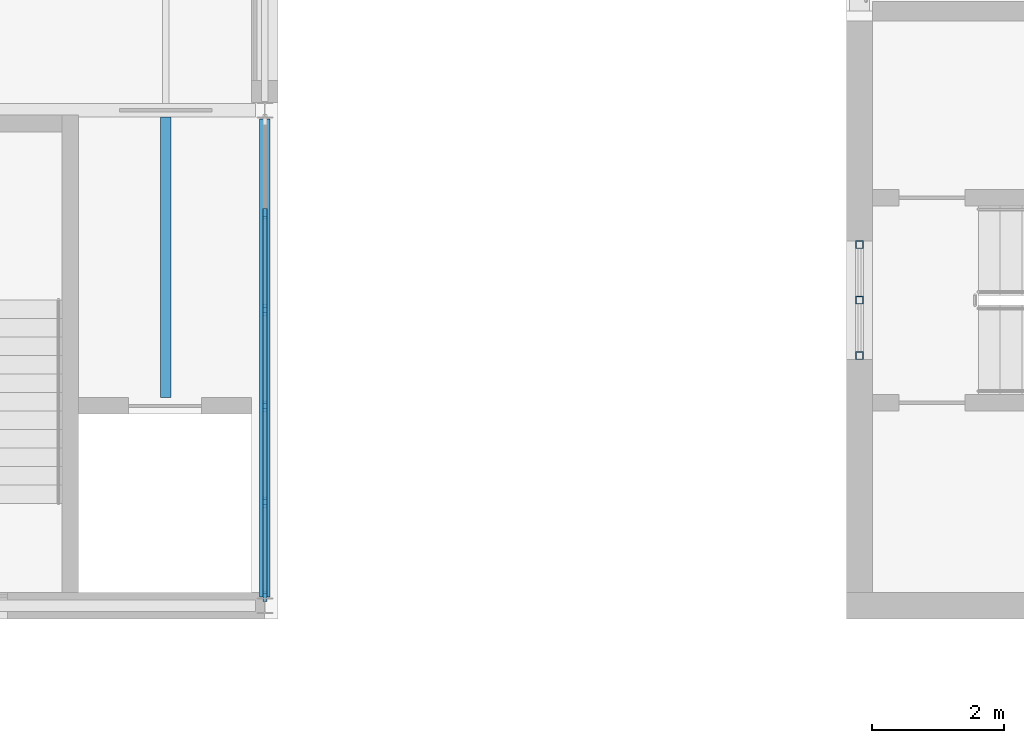
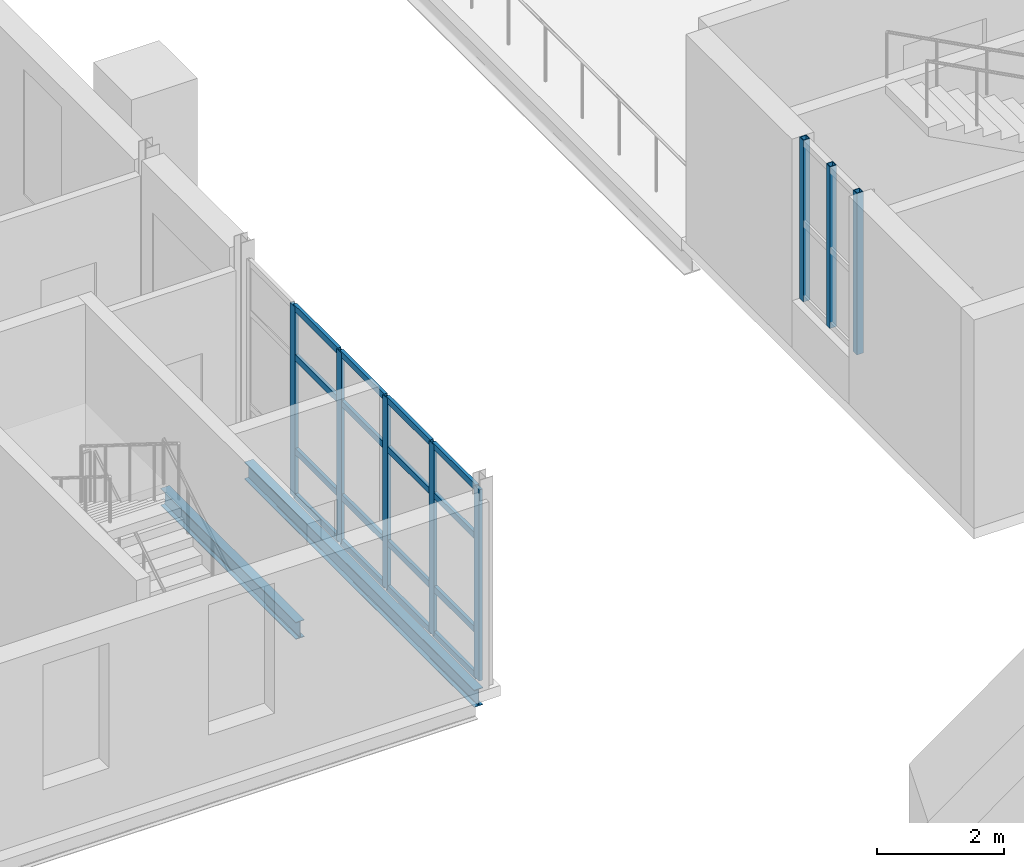
# One storey, part 36 of 154: 24 members, 2 beams, 2 elements without a shape of their own.
"""IFC4 building model written with IfcOpenShell, lengths in metres."""

from ifc_helpers import new_model, si_unit, direction, frame, origin, origin_2d, place, context, subcontext, project, spatial, rectangle, hollow_rectangle, i_section, extrude, material, layer, layer_set, material_profile, profile_set, type_object, element, aggregate, save


model = new_model("IFC4")

# Units and contexts
model_context = context("Model", 3, precision=1e-05, world=origin(), true_north=direction((0.0, 1.0)))
body_context = subcontext(model_context, "Body", "Model", "MODEL_VIEW")
ifc_project = project(units=[si_unit("LENGTHUNIT", "METRE"), si_unit("AREAUNIT", "SQUARE_METRE"), si_unit("VOLUMEUNIT", "CUBIC_METRE"), si_unit("PLANEANGLEUNIT", "RADIAN"), si_unit("MASSUNIT", "GRAM", prefix="KILO")], contexts=[model_context])

# Site, building, storey
site_placement = place(None, origin())
site = spatial("IfcSite", under=ifc_project, at=site_placement, CompositionType="ELEMENT")
building_placement = place(site_placement, origin())
building = spatial("IfcBuilding", under=site, at=building_placement, Name="Golden Quay Civic Hall", CompositionType="ELEMENT")
storey_placement = place(building_placement, frame((0.0, 0.0, 14.39990234375)))
storey = spatial("IfcBuildingStorey", under=building, at=storey_placement, Name="L03", CompositionType="ELEMENT", Elevation=14.39990234375)

# Curtain wall, members
ifc_material_1 = material(Name="Glass, laminated double glazed", Category="glass")
ifc_layer = layer(ifc_material_1, 0.199951171875)
ifc_layer_set = layer_set([ifc_layer], Name="Glazed core strip curtain wall")
curtain_wall_type_1 = type_object("IfcCurtainWallType", Name="Glazed core strip curtain wall", PredefinedType="NOTDEFINED", material=ifc_layer_set)
curtain_wall_1_placement = place(storey_placement, origin())
curtain_wall_1 = element("IfcCurtainWall", 1, at=curtain_wall_1_placement, inside=storey, type_object=curtain_wall_type_1, Name="Glazed core strip curtain wall L03 2", PredefinedType="NOTDEFINED")
ifc_material_2 = material(Name="Aluminium, anodised", Category="aluminium")
ifc_material_profile_1 = material_profile(ifc_material_2, rectangle(XDim=0.06005859375, YDim=0.159912109375, at=origin_2d()), Name="Aluminium 60 x 160")
ifc_profile_set_1 = profile_set([ifc_material_profile_1], Name="Aluminium, anodised")
member_type_1 = type_object("IfcMemberType", Name="Aluminium mullion 60 x 160", PredefinedType="MULLION", material=ifc_profile_set_1)
member_1_placement = place(storey_placement, frame((54.0, 68.930908203125, 0.0), z_axis=(0.0, 0.0, 1.0), x_axis=(1.0, 0.0, 0.0)))
member_1 = element("IfcMember", 2, at=member_1_placement, type_object=member_type_1, Name="CW2 mullion 2", PredefinedType="MULLION", context=body_context, shape_type="SweptSolid", body=[
    extrude(rectangle(XDim=0.06005859375, YDim=0.159912109375, at=origin_2d()), origin(), (0.0, 0.0, 1.0), 3.670166015625),
])
member_2_placement = place(storey_placement, frame((54.0, 67.47705078125, 0.0), z_axis=(0.0, 0.0, 1.0), x_axis=(1.0, 0.0, 0.0)))
member_2 = element("IfcMember", 3, at=member_2_placement, type_object=member_type_1, Name="CW2 mullion 3", PredefinedType="MULLION", context=body_context, shape_type="SweptSolid", body=[
    extrude(rectangle(XDim=0.06005859375, YDim=0.159912109375, at=origin_2d()), origin(), (0.0, 0.0, 1.0), 3.670166015625),
])
member_3_placement = place(storey_placement, frame((54.0, 66.02294921875, 0.0), z_axis=(0.0, 0.0, 1.0), x_axis=(1.0, 0.0, 0.0)))
member_3 = element("IfcMember", 4, at=member_3_placement, type_object=member_type_1, Name="CW2 mullion 4", PredefinedType="MULLION", context=body_context, shape_type="SweptSolid", body=[
    extrude(rectangle(XDim=0.06005859375, YDim=0.159912109375, at=origin_2d()), origin(), (0.0, 0.0, 1.0), 3.670166015625),
])
member_4_placement = place(storey_placement, frame((54.0, 64.569091796875, 0.0), z_axis=(0.0, 0.0, 1.0), x_axis=(1.0, 0.0, 0.0)))
member_4 = element("IfcMember", 5, at=member_4_placement, type_object=member_type_1, Name="CW2 mullion 5", PredefinedType="MULLION", context=body_context, shape_type="SweptSolid", body=[
    extrude(rectangle(XDim=0.06005859375, YDim=0.159912109375, at=origin_2d()), origin(), (0.0, 0.0, 1.0), 3.670166015625),
])
member_5_placement = place(storey_placement, frame((54.0, 63.14501953125, 0.0), z_axis=(0.0, 0.0, 1.0), x_axis=(1.0, 0.0, 0.0)))
member_5 = element("IfcMember", 6, at=member_5_placement, type_object=member_type_1, Name="CW2 mullion 6", PredefinedType="MULLION", context=body_context, shape_type="SweptSolid", body=[
    extrude(rectangle(XDim=0.06005859375, YDim=0.159912109375, at=origin_2d()), origin(), (0.0, 0.0, 1.0), 3.670166015625),
])
ifc_material_3 = material(Name="Aluminium, anodised", Category="aluminium")
ifc_material_profile_2 = material_profile(ifc_material_3, rectangle(XDim=0.06005859375, YDim=0.1201171875, at=origin_2d()), Name="Aluminium 60 x 120")
ifc_profile_set_2 = profile_set([ifc_material_profile_2], Name="Aluminium, anodised")
member_type_2 = type_object("IfcMemberType", Name="Aluminium transom 60 x 120", PredefinedType="USERDEFINED", material=ifc_profile_set_2)
member_6_placement = place(storey_placement, frame((54.0, 68.90087890625, 0.030029296875), z_axis=(0.0, -1.0, 0.0), x_axis=(1.0, 0.0, 0.0)))
member_6 = element("IfcMember", 7, at=member_6_placement, type_object=member_type_2, Name="CW2 transom 2.1", ObjectType="TRANSOM", PredefinedType="USERDEFINED", context=body_context, shape_type="SweptSolid", body=[
    extrude(rectangle(XDim=0.06005859375, YDim=0.1201171875, at=origin_2d()), origin(), (0.0, 0.0, 1.0), 1.393798828125),
])
member_7_placement = place(storey_placement, frame((54.0, 68.90087890625, 0.900146484375), z_axis=(0.0, -1.0, 0.0), x_axis=(1.0, 0.0, 0.0)))
member_7 = element("IfcMember", 8, at=member_7_placement, type_object=member_type_2, Name="CW2 transom 2.2", ObjectType="TRANSOM", PredefinedType="USERDEFINED", context=body_context, shape_type="SweptSolid", body=[
    extrude(rectangle(XDim=0.06005859375, YDim=0.1201171875, at=origin_2d()), origin(), (0.0, 0.0, 1.0), 1.393798828125),
])
member_8_placement = place(storey_placement, frame((54.0, 68.90087890625, 2.7001953125), z_axis=(0.0, -1.0, 0.0), x_axis=(1.0, 0.0, 0.0)))
member_8 = element("IfcMember", 9, at=member_8_placement, type_object=member_type_2, Name="CW2 transom 2.3", ObjectType="TRANSOM", PredefinedType="USERDEFINED", context=body_context, shape_type="SweptSolid", body=[
    extrude(rectangle(XDim=0.06005859375, YDim=0.1201171875, at=origin_2d()), origin(), (0.0, 0.0, 1.0), 1.393798828125),
])
member_9_placement = place(storey_placement, frame((54.0, 68.90087890625, 3.64013671875), z_axis=(0.0, -1.0, 0.0), x_axis=(1.0, 0.0, 0.0)))
member_9 = element("IfcMember", 10, at=member_9_placement, type_object=member_type_2, Name="CW2 transom 2.4", ObjectType="TRANSOM", PredefinedType="USERDEFINED", context=body_context, shape_type="SweptSolid", body=[
    extrude(rectangle(XDim=0.06005859375, YDim=0.1201171875, at=origin_2d()), origin(), (0.0, 0.0, 1.0), 1.393798828125),
])
member_10_placement = place(storey_placement, frame((54.0, 67.447021484375, 0.030029296875), z_axis=(0.0, -1.0, 0.0), x_axis=(1.0, 0.0, 0.0)))
member_10 = element("IfcMember", 11, at=member_10_placement, type_object=member_type_2, Name="CW2 transom 3.1", ObjectType="TRANSOM", PredefinedType="USERDEFINED", context=body_context, shape_type="SweptSolid", body=[
    extrude(rectangle(XDim=0.06005859375, YDim=0.1201171875, at=origin_2d()), origin(), (0.0, 0.0, 1.0), 1.39404296875),
])
member_11_placement = place(storey_placement, frame((54.0, 67.447021484375, 0.900146484375), z_axis=(0.0, -1.0, 0.0), x_axis=(1.0, 0.0, 0.0)))
member_11 = element("IfcMember", 12, at=member_11_placement, type_object=member_type_2, Name="CW2 transom 3.2", ObjectType="TRANSOM", PredefinedType="USERDEFINED", context=body_context, shape_type="SweptSolid", body=[
    extrude(rectangle(XDim=0.06005859375, YDim=0.1201171875, at=origin_2d()), origin(), (0.0, 0.0, 1.0), 1.39404296875),
])
member_12_placement = place(storey_placement, frame((54.0, 67.447021484375, 2.7001953125), z_axis=(0.0, -1.0, 0.0), x_axis=(1.0, 0.0, 0.0)))
member_12 = element("IfcMember", 13, at=member_12_placement, type_object=member_type_2, Name="CW2 transom 3.3", ObjectType="TRANSOM", PredefinedType="USERDEFINED", context=body_context, shape_type="SweptSolid", body=[
    extrude(rectangle(XDim=0.06005859375, YDim=0.1201171875, at=origin_2d()), origin(), (0.0, 0.0, 1.0), 1.39404296875),
])
member_13_placement = place(storey_placement, frame((54.0, 67.447021484375, 3.64013671875), z_axis=(0.0, -1.0, 0.0), x_axis=(1.0, 0.0, 0.0)))
member_13 = element("IfcMember", 14, at=member_13_placement, type_object=member_type_2, Name="CW2 transom 3.4", ObjectType="TRANSOM", PredefinedType="USERDEFINED", context=body_context, shape_type="SweptSolid", body=[
    extrude(rectangle(XDim=0.06005859375, YDim=0.1201171875, at=origin_2d()), origin(), (0.0, 0.0, 1.0), 1.39404296875),
])
member_14_placement = place(storey_placement, frame((54.0, 65.992919921875, 0.030029296875), z_axis=(0.0, -1.0, 0.0), x_axis=(1.0, 0.0, 0.0)))
member_14 = element("IfcMember", 15, at=member_14_placement, type_object=member_type_2, Name="CW2 transom 4.1", ObjectType="TRANSOM", PredefinedType="USERDEFINED", context=body_context, shape_type="SweptSolid", body=[
    extrude(rectangle(XDim=0.06005859375, YDim=0.1201171875, at=origin_2d()), origin(), (0.0, 0.0, 1.0), 1.393798828125),
])
member_15_placement = place(storey_placement, frame((54.0, 65.992919921875, 0.900146484375), z_axis=(0.0, -1.0, 0.0), x_axis=(1.0, 0.0, 0.0)))
member_15 = element("IfcMember", 16, at=member_15_placement, type_object=member_type_2, Name="CW2 transom 4.2", ObjectType="TRANSOM", PredefinedType="USERDEFINED", context=body_context, shape_type="SweptSolid", body=[
    extrude(rectangle(XDim=0.06005859375, YDim=0.1201171875, at=origin_2d()), origin(), (0.0, 0.0, 1.0), 1.393798828125),
])
member_16_placement = place(storey_placement, frame((54.0, 65.992919921875, 2.7001953125), z_axis=(0.0, -1.0, 0.0), x_axis=(1.0, 0.0, 0.0)))
member_16 = element("IfcMember", 17, at=member_16_placement, type_object=member_type_2, Name="CW2 transom 4.3", ObjectType="TRANSOM", PredefinedType="USERDEFINED", context=body_context, shape_type="SweptSolid", body=[
    extrude(rectangle(XDim=0.06005859375, YDim=0.1201171875, at=origin_2d()), origin(), (0.0, 0.0, 1.0), 1.393798828125),
])
member_17_placement = place(storey_placement, frame((54.0, 65.992919921875, 3.64013671875), z_axis=(0.0, -1.0, 0.0), x_axis=(1.0, 0.0, 0.0)))
member_17 = element("IfcMember", 18, at=member_17_placement, type_object=member_type_2, Name="CW2 transom 4.4", ObjectType="TRANSOM", PredefinedType="USERDEFINED", context=body_context, shape_type="SweptSolid", body=[
    extrude(rectangle(XDim=0.06005859375, YDim=0.1201171875, at=origin_2d()), origin(), (0.0, 0.0, 1.0), 1.393798828125),
])
member_18_placement = place(storey_placement, frame((54.0, 64.5390625, 0.030029296875), z_axis=(0.0, -1.0, 0.0), x_axis=(1.0, 0.0, 0.0)))
member_18 = element("IfcMember", 19, at=member_18_placement, type_object=member_type_2, Name="CW2 transom 5.1", ObjectType="TRANSOM", PredefinedType="USERDEFINED", context=body_context, shape_type="SweptSolid", body=[
    extrude(rectangle(XDim=0.06005859375, YDim=0.1201171875, at=origin_2d()), origin(), (0.0, 0.0, 1.0), 1.364013671875),
])
member_19_placement = place(storey_placement, frame((54.0, 64.5390625, 0.900146484375), z_axis=(0.0, -1.0, 0.0), x_axis=(1.0, 0.0, 0.0)))
member_19 = element("IfcMember", 20, at=member_19_placement, type_object=member_type_2, Name="CW2 transom 5.2", ObjectType="TRANSOM", PredefinedType="USERDEFINED", context=body_context, shape_type="SweptSolid", body=[
    extrude(rectangle(XDim=0.06005859375, YDim=0.1201171875, at=origin_2d()), origin(), (0.0, 0.0, 1.0), 1.364013671875),
])
member_20_placement = place(storey_placement, frame((54.0, 64.5390625, 2.7001953125), z_axis=(0.0, -1.0, 0.0), x_axis=(1.0, 0.0, 0.0)))
member_20 = element("IfcMember", 21, at=member_20_placement, type_object=member_type_2, Name="CW2 transom 5.3", ObjectType="TRANSOM", PredefinedType="USERDEFINED", context=body_context, shape_type="SweptSolid", body=[
    extrude(rectangle(XDim=0.06005859375, YDim=0.1201171875, at=origin_2d()), origin(), (0.0, 0.0, 1.0), 1.364013671875),
])
member_21_placement = place(storey_placement, frame((54.0, 64.5390625, 3.64013671875), z_axis=(0.0, -1.0, 0.0), x_axis=(1.0, 0.0, 0.0)))
member_21 = element("IfcMember", 22, at=member_21_placement, type_object=member_type_2, Name="CW2 transom 5.4", ObjectType="TRANSOM", PredefinedType="USERDEFINED", context=body_context, shape_type="SweptSolid", body=[
    extrude(rectangle(XDim=0.06005859375, YDim=0.1201171875, at=origin_2d()), origin(), (0.0, 0.0, 1.0), 1.364013671875),
])
aggregate(curtain_wall_1, [member_1, member_2, member_3, member_4, member_5, member_6, member_7, member_8, member_9, member_10, member_11, member_12, member_13, member_14, member_15, member_16, member_17, member_18, member_19, member_20, member_21])

ifc_material_4 = material(Name="Fire-resisting glass and steel", Category="steel")
curtain_wall_type_2 = type_object("IfcCurtainWallType", Name="Fire-resisting glazed stair curtain wall EI 120", PredefinedType="NOTDEFINED", material=ifc_material_4)
curtain_wall_2_placement = place(storey_placement, origin())
curtain_wall_2 = element("IfcCurtainWall", 23, at=curtain_wall_2_placement, inside=storey, type_object=curtain_wall_type_2, Name="CW4 stair curtain wall", PredefinedType="NOTDEFINED")
ifc_material_5 = material(Name="Steel S355", Category="steel")
ifc_material_profile_3 = material_profile(ifc_material_5, hollow_rectangle(XDim=0.1201171875, YDim=0.1201171875, WallThickness=0.012451171875, at=origin_2d()), Name="SHS 120x120x12.5")
ifc_profile_set_3 = profile_set([ifc_material_profile_3], Name="Steel S355")
member_type_3 = type_object("IfcMemberType", Name="Fire-resisting steel stair mullion 120 x 120", PredefinedType="MULLION", material=ifc_profile_set_3)
member_22_placement = place(storey_placement, frame((63.0, 66.784912109375, 0.900146484375), z_axis=(0.0, 0.0, 1.0), x_axis=(-1.0, 0.0, 0.0)))
member_22 = element("IfcMember", 24, at=member_22_placement, type_object=member_type_3, Name="CW4 mullion 1", PredefinedType="MULLION", context=body_context, shape_type="SweptSolid", body=[
    extrude(hollow_rectangle(XDim=0.1201171875, YDim=0.1201171875, WallThickness=0.012451171875, at=origin_2d()), origin(), (0.0, 0.0, 1.0), 3.099853515625),
])
member_23_placement = place(storey_placement, frame((63.0, 67.625, 0.900146484375), z_axis=(0.0, 0.0, 1.0), x_axis=(-1.0, 0.0, 0.0)))
member_23 = element("IfcMember", 25, at=member_23_placement, type_object=member_type_3, Name="CW4 mullion 2", PredefinedType="MULLION", context=body_context, shape_type="SweptSolid", body=[
    extrude(hollow_rectangle(XDim=0.1201171875, YDim=0.1201171875, WallThickness=0.012451171875, at=origin_2d()), origin(), (0.0, 0.0, 1.0), 3.099853515625),
])
member_24_placement = place(storey_placement, frame((63.0, 68.465087890625, 0.900146484375), z_axis=(0.0, 0.0, 1.0), x_axis=(-1.0, 0.0, 0.0)))
member_24 = element("IfcMember", 26, at=member_24_placement, type_object=member_type_3, Name="CW4 mullion 3", PredefinedType="MULLION", context=body_context, shape_type="SweptSolid", body=[
    extrude(hollow_rectangle(XDim=0.1201171875, YDim=0.1201171875, WallThickness=0.012451171875, at=origin_2d()), origin(), (0.0, 0.0, 1.0), 3.099853515625),
])
aggregate(curtain_wall_2, [member_22, member_23, member_24])

# Beams
ifc_material_6 = material(Name="Steel S355", Category="steel")
ifc_material_profile_4 = material_profile(ifc_material_6, i_section(OverallWidth=0.159912109375, OverallDepth=0.330078125, WebThickness=0.007568359375, FlangeThickness=0.011474609375, FilletRadius=0.01806640625, at=origin_2d()), Name="IPE 330")
ifc_profile_set_4 = profile_set([ifc_material_profile_4], Name="Steel S355")
beam_type_1 = type_object("IfcBeamType", Name="Steel beam IPE 330", PredefinedType="BEAM", material=ifc_profile_set_4)
beam_1_placement = place(storey_placement, frame((54.0, 63.135009765625, -0.364990234375), z_axis=(0.0, 1.0, 0.0), x_axis=(-1.0, 0.0, 0.0)))
element("IfcBeam", 27, at=beam_1_placement, inside=storey, type_object=beam_type_1, Name="Beam S54-63", PredefinedType="BEAM", context=body_context, shape_type="SweptSolid", body=[
    extrude(i_section(OverallWidth=0.159912109375, OverallDepth=0.330078125, WebThickness=0.007568359375, FlangeThickness=0.011474609375, FilletRadius=0.01806640625, at=origin_2d()), origin(), (0.0, 0.0, 1.0), 7.22998046875),
])
ifc_material_7 = material(Name="Steel S355", Category="steel")
ifc_material_profile_5 = material_profile(ifc_material_7, i_section(OverallWidth=0.159912109375, OverallDepth=0.330078125, WebThickness=0.007568359375, FlangeThickness=0.011474609375, FilletRadius=0.01806640625, at=origin_2d()), Name="IPE 330")
ifc_profile_set_5 = profile_set([ifc_material_profile_5], Name="Steel S355")
beam_type_2 = type_object("IfcBeamType", Name="Steel joist IPE 330", PredefinedType="JOIST", material=ifc_profile_set_5)
beam_2_placement = place(storey_placement, frame((52.5, 66.14990234375, -0.364990234375), z_axis=(0.0, 1.0, 0.0), x_axis=(-1.0, 0.0, 0.0)))
element("IfcBeam", 28, at=beam_2_placement, inside=storey, type_object=beam_type_2, Name="Joist J52.5-63-1", PredefinedType="JOIST", context=body_context, shape_type="SweptSolid", body=[
    extrude(i_section(OverallWidth=0.159912109375, OverallDepth=0.330078125, WebThickness=0.007568359375, FlangeThickness=0.011474609375, FilletRadius=0.01806640625, at=origin_2d()), origin(), (0.0, 0.0, 1.0), 4.25),
])

save(model, "model.ifc")
